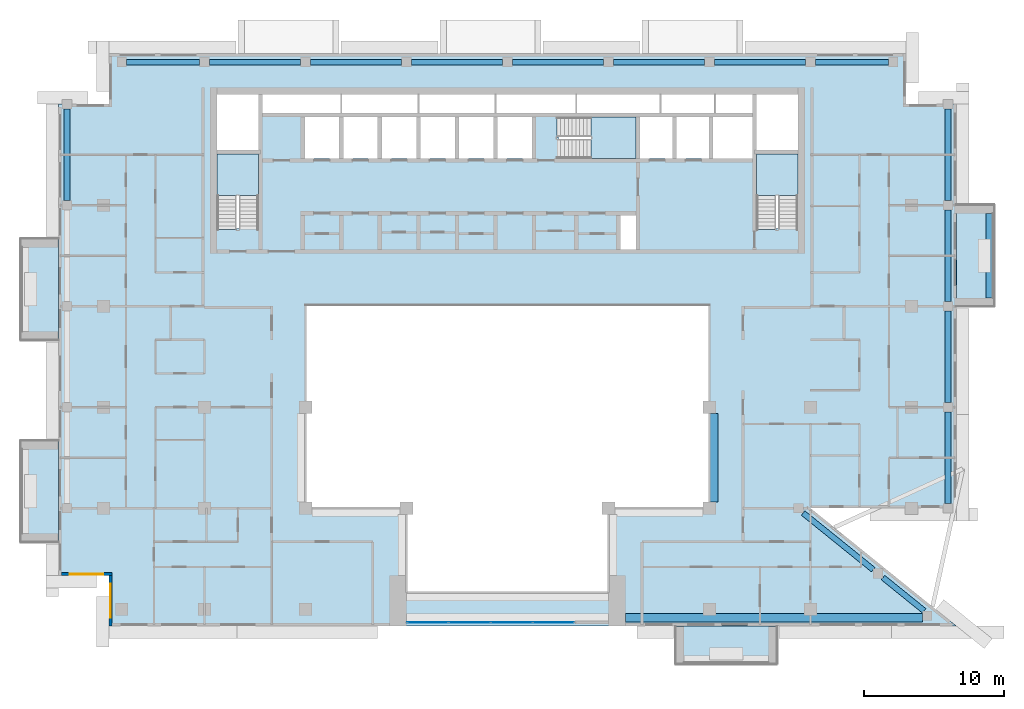
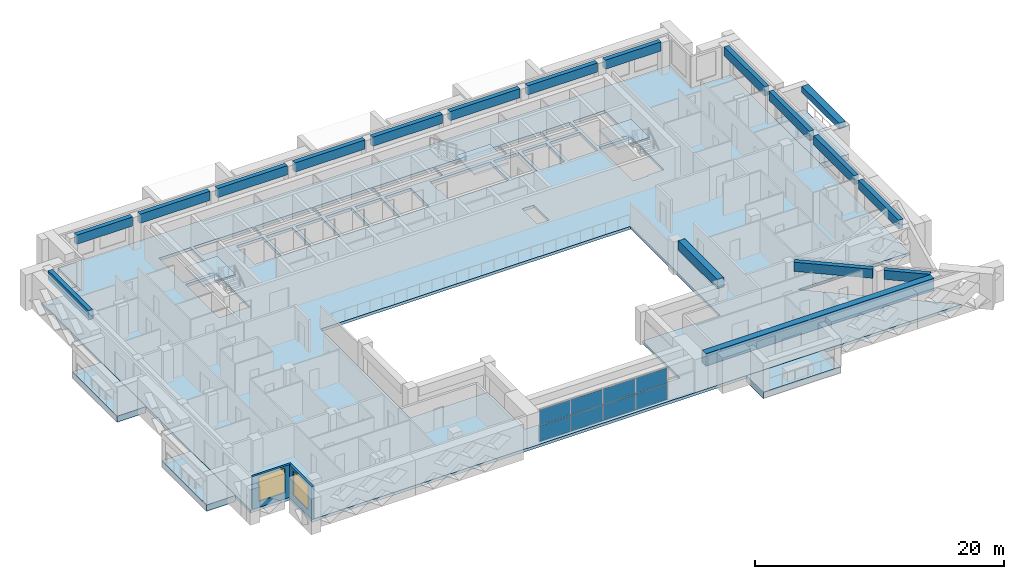
# One storey, part 5 of 19: 18 beams, 8 plates, 8 slabs, 2 walls, 2 windows, 2 openings, 4 elements without a shape of their own.
"""IFC4 building model written with IfcOpenShell, lengths in metres."""

from ifc_helpers import new_model, si_unit, direction, frame, frame_2d, origin, origin_2d, place, context, subcontext, project, spatial, polyline, rectangle, outline, extrude, source, transform, mapped, material, layer, layer_set, material_profile, profile_set, type_object, element, fill, aggregate, save


model = new_model("IFC4")

# Units and contexts
model_context = context("Model", 3, precision=1e-05, world=origin(), true_north=direction((0.0, 1.0)))
body_context = subcontext(model_context, "Body", "Model", "MODEL_VIEW")
ifc_project = project(units=[si_unit("LENGTHUNIT", "METRE"), si_unit("AREAUNIT", "SQUARE_METRE"), si_unit("VOLUMEUNIT", "CUBIC_METRE"), si_unit("PLANEANGLEUNIT", "RADIAN"), si_unit("MASSUNIT", "GRAM", prefix="KILO")], contexts=[model_context])

# Site, building, storey
site_placement = place(None, origin())
site = spatial("IfcSite", under=ifc_project, at=site_placement, CompositionType="ELEMENT")
building_placement = place(site_placement, origin())
building = spatial("IfcBuilding", under=site, at=building_placement, Name="Saffron Iwan Residences", CompositionType="ELEMENT")
storey_placement = place(building_placement, frame((0.0, 0.0, 229.0)))
storey = spatial("IfcBuildingStorey", under=building, at=storey_placement, Name="L61", CompositionType="ELEMENT", Elevation=229.0)

# Beams
ifc_material_1 = material(Name="Concrete C40/50", Category="concrete")
ifc_material_profile_1 = material_profile(ifc_material_1, rectangle(XDim=0.39990234375, YDim=0.89990234375, at=origin_2d()), Name="RC 400x900")
ifc_profile_set_1 = profile_set([ifc_material_profile_1], Name="Concrete C40/50")
beam_type_1 = type_object("IfcBeamType", Name="SPANDREL BEAM RC 400x900 C40/50 TOP 3220", PredefinedType="SPANDREL", material=ifc_profile_set_1)
shared_shape_1 = source(origin(), body_context, "Body", "SweptSolid", [
    extrude(rectangle(XDim=0.39990234375, YDim=0.89990234375, at=origin_2d()), origin(), (0.0, 0.0, 1.0), 3.767578125),
])
beam_1_placement = place(storey_placement, frame((77.173095703125, 43.050537109375, 2.77001953125), z_axis=(0.777920469401, -0.62836274817, 0.0), x_axis=(0.62836274817, 0.777920469401, 0.0)))
element("IfcBeam", 1, at=beam_1_placement, inside=storey, type_object=beam_type_1, Name="Spandrel beam", PredefinedType="SPANDREL", context=body_context, shape_type="MappedRepresentation", body=[
    mapped(shared_shape_1, transform((0.0, 0.0, 0.0))),
])
shared_shape_2 = source(origin(), body_context, "Body", "SweptSolid", [
    extrude(rectangle(XDim=0.39990234375, YDim=0.89990234375, at=origin_2d()), origin(), (0.0, 0.0, 1.0), 6.419921875),
])
beam_2_placement = place(storey_placement, frame((71.478515625, 47.64990234375, 2.77001953125), z_axis=(0.777940465262, -0.628337992253, 0.0), x_axis=(0.628337992253, 0.777940465262, 0.0)))
element("IfcBeam", 2, at=beam_2_placement, inside=storey, type_object=beam_type_1, Name="Spandrel beam", PredefinedType="SPANDREL", context=body_context, shape_type="MappedRepresentation", body=[
    mapped(shared_shape_2, transform((0.0, 0.0, 0.0))),
])
shared_shape_3 = source(origin(), body_context, "Body", "SweptSolid", [
    extrude(rectangle(XDim=0.39990234375, YDim=0.89990234375, at=origin_2d()), origin(), (0.0, 0.0, 1.0), 6.5),
])
for number, where, z_axis, x_axis, name in (
    (3, (81.800048828125, 54.85009765625, 2.77001953125), (0.0, -1.0, 0.0), (1.0, 0.0, 0.0), "Spandrel beam"),
    (4, (81.800048828125, 62.050048828125, 2.77001953125), (0.0, -1.0, 0.0), (1.0, 0.0, 0.0), "Spandrel beam"),
    (5, (81.800048828125, 69.25, 2.77001953125), (0.0, -1.0, 0.0), (1.0, 0.0, 0.0), "Spandrel beam"),
    (6, (19.0, 69.949951171875, 2.77001953125), (0.0, 1.0, 0.0), (-1.0, 0.0, 0.0), "Spandrel beam"),
    (7, (81.800048828125, 76.449951171875, 2.77001953125), (0.0, -1.0, 0.0), (1.0, 0.0, 0.0), "Spandrel beam"),
    (8, (29.14990234375, 79.800048828125, 2.77001953125), (1.0, 0.0, 0.0), (0.0, 1.0, 0.0), "Spandrel beam"),
    (9, (36.35009765625, 79.800048828125, 2.77001953125), (1.0, 0.0, 0.0), (0.0, 1.0, 0.0), "Spandrel beam"),
    (10, (43.550048828125, 79.800048828125, 2.77001953125), (1.0, 0.0, 0.0), (0.0, 1.0, 0.0), "Spandrel beam"),
    (11, (50.75, 79.800048828125, 2.77001953125), (1.0, 0.0, 0.0), (0.0, 1.0, 0.0), "Spandrel beam"),
    (12, (57.949951171875, 79.800048828125, 2.77001953125), (1.0, 0.0, 0.0), (0.0, 1.0, 0.0), "Spandrel beam"),
    (13, (65.14990234375, 79.800048828125, 2.77001953125), (1.0, 0.0, 0.0), (0.0, 1.0, 0.0), "Spandrel beam"),
):
    element("IfcBeam", number, at=place(storey_placement, frame(where, z_axis=z_axis, x_axis=x_axis)), inside=storey, type_object=beam_type_1, Name=name, PredefinedType="SPANDREL", context=body_context, shape_type="MappedRepresentation", body=[
        mapped(shared_shape_3, transform((0.0, 0.0, 0.0))),
    ])
shared_shape_4 = source(origin(), body_context, "Body", "SweptSolid", [
    extrude(rectangle(XDim=0.39990234375, YDim=0.89990234375, at=origin_2d()), origin(), (0.0, 0.0, 1.0), 5.199951171875),
])
for number, where, z_axis, x_axis, name in (
    (14, (23.25, 79.800048828125, 2.77001953125), (1.0, 0.0, 0.0), (0.0, 1.0, 0.0), "Spandrel beam"),
    (15, (72.35009765625, 79.800048828125, 2.77001953125), (1.0, 0.0, 0.0), (0.0, 1.0, 0.0), "Spandrel beam"),
):
    element("IfcBeam", number, at=place(storey_placement, frame(where, z_axis=z_axis, x_axis=x_axis)), inside=storey, type_object=beam_type_1, Name=name, PredefinedType="SPANDREL", context=body_context, shape_type="MappedRepresentation", body=[
        mapped(shared_shape_4, transform((0.0, 0.0, 0.0))),
    ])
ifc_material_profile_2 = material_profile(ifc_material_1, rectangle(XDim=0.60009765625, YDim=1.199951171875, at=origin_2d()), Name="RC 600x1200")
ifc_profile_set_2 = profile_set([ifc_material_profile_2], Name="Concrete C40/50")
beam_type_2 = type_object("IfcBeamType", Name="LINTEL BEAM RC 600x1200 C40/50 TOP 3220", PredefinedType="LINTEL", material=ifc_profile_set_2)
shared_shape_5 = source(origin(), body_context, "Body", "SweptSolid", [
    extrude(rectangle(XDim=0.60009765625, YDim=1.199951171875, at=origin_2d()), origin(), (0.0, 0.0, 1.0), 21.175537109375),
])
beam_3_placement = place(storey_placement, frame((79.9755859375, 40.199951171875, 2.6201171875), z_axis=(-1.0, 0.0, 0.0), x_axis=(0.0, -1.0, 0.0)))
element("IfcBeam", 16, at=beam_3_placement, inside=storey, type_object=beam_type_2, Name="Lintel beam over the iwan", PredefinedType="LINTEL", context=body_context, shape_type="MappedRepresentation", body=[
    mapped(shared_shape_5, transform((0.0, 0.0, 0.0))),
])
ifc_material_profile_3 = material_profile(ifc_material_1, rectangle(XDim=0.60009765625, YDim=0.89990234375, at=origin_2d()), Name="RC 600x900")
ifc_profile_set_3 = profile_set([ifc_material_profile_3], Name="Concrete C40/50")
beam_type_3 = type_object("IfcBeamType", Name="BEAM RC 600x900 C40/50 TOP 3220", PredefinedType="BEAM", material=ifc_profile_set_3)
shared_shape_6 = source(origin(), body_context, "Body", "SweptSolid", [
    extrude(rectangle(XDim=0.60009765625, YDim=0.89990234375, at=origin_2d()), origin(), (0.0, 0.0, 1.0), 6.300048828125),
])
beam_4_placement = place(storey_placement, frame((65.10009765625, 54.75, 2.77001953125), z_axis=(0.0, -1.0, 0.0), x_axis=(1.0, 0.0, 0.0)))
element("IfcBeam", 17, at=beam_4_placement, inside=storey, type_object=beam_type_3, Name="Atrium edge beam", PredefinedType="BEAM", context=body_context, shape_type="MappedRepresentation", body=[
    mapped(shared_shape_6, transform((0.0, 0.0, 0.0))),
])
ifc_material_2 = material(Name="Concrete C50/60 white painted", Category="concrete")
ifc_material_profile_4 = material_profile(ifc_material_2, rectangle(XDim=0.60009765625, YDim=0.60009765625, at=origin_2d()), Name="BALCONY FASCIA BEAM 600 x 600")
ifc_profile_set_4 = profile_set([ifc_material_profile_4], Name="Concrete C50/60 white painted")
beam_type_4 = type_object("IfcBeamType", Name="BALCONY FASCIA BEAM 600 x 600", PredefinedType="BEAM", material=ifc_profile_set_4)
shared_shape_7 = source(origin(), body_context, "Body", "SweptSolid", [
    extrude(rectangle(XDim=0.60009765625, YDim=0.60009765625, at=origin_2d()), origin(), (0.0, 0.0, 1.0), 6.0),
])
beam_5_placement = place(storey_placement, frame((84.800048828125, 63.0, 2.550048828125), z_axis=(0.0, 1.0, 0.0), x_axis=(-1.0, 0.0, 0.0)))
element("IfcBeam", 18, at=beam_5_placement, inside=storey, type_object=beam_type_4, Name="Balcony fascia beam L61 F2-0", PredefinedType="BEAM", context=body_context, shape_type="MappedRepresentation", body=[
    mapped(shared_shape_7, transform((0.0, 0.0, 0.0))),
])

# Slabs
ifc_layer_1 = layer(ifc_material_2, 0.60009765625)
ifc_layer_set_1 = layer_set([ifc_layer_1], Name="Concrete C50/60 white painted")
slab_type_1 = type_object("IfcSlabType", Name="BALCONY FRAME SLAB 600", PredefinedType="FLOOR", material=ifc_layer_set_1)
slab_1_placement = place(storey_placement, frame((0.0, 0.0, -0.60009765625)))
element("IfcSlab", 19, at=slab_1_placement, inside=storey, type_object=slab_type_1, Name="Balcony frame slab L61 F2-0", PredefinedType="FLOOR", context=body_context, shape_type="SweptSolid", body=[
    extrude(outline(polyline([(85.10009765625, 62.39990234375), (85.10009765625, 69.60009765625), (82.39990234375, 69.60009765625), (82.39990234375, 62.39990234375), (85.10009765625, 62.39990234375)])), origin(), (0.0, 0.0, 1.0), 0.60009765625),
])
slab_2_placement = place(storey_placement, frame((0.0, 0.0, -0.60009765625)))
element("IfcSlab", 20, at=slab_2_placement, inside=storey, type_object=slab_type_1, Name="Balcony frame slab L61 F8-0", PredefinedType="FLOOR", context=body_context, shape_type="SweptSolid", body=[
    extrude(outline(polyline([(15.699951171875, 67.199951171875), (15.699951171875, 60.0), (18.39990234375, 60.0), (18.39990234375, 67.199951171875), (15.699951171875, 67.199951171875)])), origin(), (0.0, 0.0, 1.0), 0.60009765625),
])
slab_3_placement = place(storey_placement, frame((0.0, 0.0, -0.60009765625)))
element("IfcSlab", 21, at=slab_3_placement, inside=storey, type_object=slab_type_1, Name="Balcony frame slab L61 F8-1", PredefinedType="FLOOR", context=body_context, shape_type="SweptSolid", body=[
    extrude(outline(polyline([(15.699951171875, 52.800048828125), (15.699951171875, 45.60009765625), (18.39990234375, 45.60009765625), (18.39990234375, 52.800048828125), (15.699951171875, 52.800048828125)])), origin(), (0.0, 0.0, 1.0), 0.60009765625),
])
slab_4_placement = place(storey_placement, frame((0.0, 0.0, -0.60009765625)))
element("IfcSlab", 22, at=slab_4_placement, inside=storey, type_object=slab_type_1, Name="Balcony frame slab L61 11-1", PredefinedType="FLOOR", context=body_context, shape_type="SweptSolid", body=[
    extrude(outline(polyline([(62.39990234375, 36.89990234375), (69.60009765625, 36.89990234375), (69.60009765625, 39.60009765625), (62.39990234375, 39.60009765625), (62.39990234375, 36.89990234375)])), origin(), (0.0, 0.0, 1.0), 0.60009765625),
])
ifc_layer_2 = layer(ifc_material_1, 0.280029296875)
ifc_layer_set_2 = layer_set([ifc_layer_2], Name="Concrete C40/50")
slab_type_2 = type_object("IfcSlabType", Name="PT PLATE 280 C40/50", PredefinedType="FLOOR", material=ifc_layer_set_2)
slab_5_placement = place(storey_placement, frame((0.0, 0.0, -0.280029296875)))
element("IfcSlab", 23, at=slab_5_placement, inside=storey, type_object=slab_type_2, Name="Floor slab L61", PredefinedType="FLOOR", context=body_context, shape_type="SweptSolid", body=[
    extrude(outline(polyline([(18.39990234375, 43.199951171875), (18.39990234375, 76.800048828125), (22.0, 76.800048828125), (22.0, 80.39990234375), (78.800048828125, 80.39990234375), (78.800048828125, 76.800048828125), (82.39990234375, 76.800048828125), (82.39990234375, 48.0), (72.0, 48.0), (82.39990234375, 39.60009765625), (22.0, 39.60009765625), (22.0, 43.199951171875), (18.39990234375, 43.199951171875)]), holes=[polyline([(64.800048828125, 48.0), (64.800048828125, 62.39990234375), (36.0, 62.39990234375), (36.0, 48.0), (43.199951171875, 48.0), (43.199951171875, 42.0), (57.60009765625, 42.0), (57.60009765625, 48.0), (64.800048828125, 48.0)]), polyline([(29.699951171875, 73.25), (29.699951171875, 67.949951171875), (29.699951171875, 67.8505859375), (31.10009765625, 67.8505859375), (31.10009765625, 67.949951171875), (32.64990234375, 67.949951171875), (32.64990234375, 73.25), (29.699951171875, 73.25)]), polyline([(38.39990234375, 75.875), (35.949951171875, 75.875), (35.949951171875, 72.925048828125), (38.39990234375, 72.925048828125), (38.39990234375, 75.875)]), polyline([(41.14990234375, 75.875), (38.699951171875, 75.875), (38.699951171875, 72.925048828125), (41.14990234375, 72.925048828125), (41.14990234375, 75.875)]), polyline([(43.89990234375, 72.925048828125), (43.89990234375, 75.875), (41.449951171875, 75.875), (41.449951171875, 72.925048828125), (43.89990234375, 72.925048828125)]), polyline([(46.64990234375, 72.925048828125), (46.64990234375, 75.875), (44.199951171875, 75.875), (44.199951171875, 72.925048828125), (46.64990234375, 72.925048828125)]), polyline([(49.39990234375, 75.875), (46.949951171875, 75.875), (46.949951171875, 72.925048828125), (49.39990234375, 72.925048828125), (49.39990234375, 75.875)]), polyline([(52.14990234375, 72.925048828125), (52.14990234375, 75.875), (49.699951171875, 75.875), (49.699951171875, 72.925048828125), (52.14990234375, 72.925048828125)]), polyline([(32.64990234375, 73.550048828125), (32.64990234375, 77.5), (29.699951171875, 77.5), (29.699951171875, 73.550048828125), (32.64990234375, 73.550048828125)]), polyline([(38.5, 77.5), (32.949951171875, 77.5), (32.949951171875, 76.175048828125), (38.5, 76.175048828125), (38.5, 77.5)]), polyline([(44.0, 76.175048828125), (44.0, 77.5), (38.60009765625, 77.5), (38.60009765625, 76.175048828125), (44.0, 76.175048828125)]), polyline([(49.5, 76.175048828125), (49.5, 77.5), (44.10009765625, 77.5), (44.10009765625, 76.175048828125), (49.5, 76.175048828125)]), polyline([(59.550048828125, 68.875), (58.449951171875, 68.875), (58.449951171875, 66.449951171875), (59.550048828125, 66.449951171875), (59.550048828125, 68.875)]), polyline([(68.14990234375, 73.25), (68.14990234375, 67.949951171875), (68.14990234375, 67.8505859375), (69.550048828125, 67.8505859375), (69.550048828125, 67.949951171875), (71.10009765625, 67.949951171875), (71.10009765625, 73.25), (68.14990234375, 73.25)]), polyline([(54.02490234375, 74.47509765625), (54.02490234375, 72.925048828125), (59.550048828125, 72.925048828125), (59.550048828125, 75.875), (54.02490234375, 75.875), (53.925537109375, 75.875), (53.925537109375, 74.47509765625), (54.02490234375, 74.47509765625)]), polyline([(62.14990234375, 72.925048828125), (62.14990234375, 75.875), (59.85009765625, 75.875), (59.85009765625, 72.925048828125), (62.14990234375, 72.925048828125)]), polyline([(64.75, 72.925048828125), (64.75, 75.875), (62.449951171875, 75.875), (62.449951171875, 72.925048828125), (64.75, 72.925048828125)]), polyline([(67.85009765625, 75.875), (65.050048828125, 75.875), (65.050048828125, 72.925048828125), (67.85009765625, 72.925048828125), (67.85009765625, 75.875)]), polyline([(71.10009765625, 73.550048828125), (71.10009765625, 77.5), (68.14990234375, 77.5), (68.14990234375, 73.550048828125), (71.10009765625, 73.550048828125)]), polyline([(55.25, 76.175048828125), (55.25, 77.5), (49.60009765625, 77.5), (49.60009765625, 76.175048828125), (55.25, 76.175048828125)]), polyline([(61.25, 77.5), (55.35009765625, 77.5), (55.35009765625, 76.175048828125), (61.25, 76.175048828125), (61.25, 77.5)]), polyline([(65.14990234375, 76.175048828125), (65.14990234375, 77.5), (61.35009765625, 77.5), (61.35009765625, 76.175048828125), (65.14990234375, 76.175048828125)]), polyline([(67.85009765625, 76.175048828125), (67.85009765625, 77.5), (65.25, 77.5), (65.25, 76.175048828125), (67.85009765625, 76.175048828125)])]), origin(), (0.0, 0.0, 1.0), 0.280029296875),
])

# Stair, slab
ifc_material_3 = material(Name="Concrete C50/60", Category="concrete")
stair_type = type_object("IfcStairType", Name="Stair ST-CORE", PredefinedType="HALF_TURN_STAIR", material=ifc_material_3)
stair_1_placement = place(storey_placement, origin())
stair_1 = element("IfcStair", 24, at=stair_1_placement, inside=storey, type_object=stair_type, Name="L61 Exit Stair ST-W", PredefinedType="HALF_TURN_STAIR")
ifc_layer_3 = layer(ifc_material_3, 0.199951171875)
ifc_layer_set_3 = layer_set([ifc_layer_3], Name="Concrete C50/60")
slab_type_3 = type_object("IfcSlabType", Name="Stair landing SL-RC", PredefinedType="LANDING", material=ifc_layer_set_3)
slab_6_placement = place(storey_placement, frame((0.0, 0.0, 1.5498046875)))
slab_6 = element("IfcSlab", 25, at=slab_6_placement, type_object=slab_type_3, Name="ST-W landing 1", PredefinedType="LANDING", context=body_context, shape_type="SweptSolid", body=[
    extrude(outline(polyline([(32.64990234375, 70.280029296875), (32.64990234375, 73.25), (29.699951171875, 73.25), (29.699951171875, 70.280029296875), (32.64990234375, 70.280029296875)])), origin(), (0.0, 0.0, 1.0), 0.2001953125),
])
aggregate(stair_1, [slab_6])

stair_2_placement = place(storey_placement, origin())
stair_2 = element("IfcStair", 26, at=stair_2_placement, inside=storey, type_object=stair_type, Name="L61 Exit Stair ST-C", PredefinedType="HALF_TURN_STAIR")
slab_7_placement = place(storey_placement, frame((0.0, 0.0, 1.5498046875)))
slab_7 = element("IfcSlab", 27, at=slab_7_placement, type_object=slab_type_3, Name="ST-C landing 1", PredefinedType="LANDING", context=body_context, shape_type="SweptSolid", body=[
    extrude(outline(polyline([(56.35498046875, 72.925048828125), (59.550048828125, 72.925048828125), (59.550048828125, 75.875), (56.35498046875, 75.875), (56.35498046875, 72.925048828125)])), origin(), (0.0, 0.0, 1.0), 0.2001953125),
])
aggregate(stair_2, [slab_7])

stair_3_placement = place(storey_placement, origin())
stair_3 = element("IfcStair", 28, at=stair_3_placement, inside=storey, type_object=stair_type, Name="L61 Exit Stair ST-E", PredefinedType="HALF_TURN_STAIR")
slab_8_placement = place(storey_placement, frame((0.0, 0.0, 1.5498046875)))
slab_8 = element("IfcSlab", 29, at=slab_8_placement, type_object=slab_type_3, Name="ST-E landing 1", PredefinedType="LANDING", context=body_context, shape_type="SweptSolid", body=[
    extrude(outline(polyline([(71.10009765625, 70.280029296875), (71.10009765625, 73.25), (68.14990234375, 73.25), (68.14990234375, 70.280029296875), (71.10009765625, 70.280029296875)])), origin(), (0.0, 0.0, 1.0), 0.2001953125),
])
aggregate(stair_3, [slab_8])

# Curtain wall, plates
ifc_material_4 = material(Name="Clear glass, laminated double glazed", Category="glass")
ifc_layer_4 = layer(ifc_material_4, 0.199951171875)
ifc_layer_set_4 = layer_set([ifc_layer_4], Name="Clear glass, laminated double glazed")
curtain_wall_type = type_object("IfcCurtainWallType", Name="CW-B IWAN PORTAL", PredefinedType="NOTDEFINED", material=ifc_layer_set_4)
curtain_wall_placement = place(storey_placement, origin())
curtain_wall = element("IfcCurtainWall", 30, at=curtain_wall_placement, inside=storey, type_object=curtain_wall_type, Name="Iwan portal glazing L61.1", PredefinedType="NOTDEFINED")
ifc_layer_5 = layer(ifc_material_4, 0.028076171875)
ifc_layer_set_5 = layer_set([ifc_layer_5], Name="Clear glass, laminated double glazed")
plate_type = type_object("IfcPlateType", Name="CW-B PANEL 28", PredefinedType="CURTAIN_PANEL", material=ifc_layer_set_5)
shared_shape_8 = source(origin(), body_context, "Body", "SweptSolid", [
    extrude(rectangle(XDim=2.909912109375, YDim=0.028076171875, at=origin_2d()), origin(), (0.0, 0.0, 1.0), 1.52001953125),
])
plate_1_placement = place(storey_placement, frame((44.715087890625, 39.85009765625, 0.06005859375), z_axis=(0.0, 0.0, 1.0), x_axis=(1.0, 0.0, 0.0)))
plate_1 = element("IfcPlate", 31, at=plate_1_placement, type_object=plate_type, Name="CW-B panel 1.1", PredefinedType="CURTAIN_PANEL", context=body_context, shape_type="MappedRepresentation", body=[
    mapped(shared_shape_8, transform((0.0, 0.0, 0.0))),
])
plate_2_placement = place(storey_placement, frame((44.715087890625, 39.85009765625, 1.639892578125), z_axis=(0.0, 0.0, 1.0), x_axis=(1.0, 0.0, 0.0)))
plate_2 = element("IfcPlate", 32, at=plate_2_placement, type_object=plate_type, Name="CW-B panel 1.2", PredefinedType="CURTAIN_PANEL", context=body_context, shape_type="MappedRepresentation", body=[
    mapped(shared_shape_8, transform((0.0, 0.0, 0.0))),
])
plate_3_placement = place(storey_placement, frame((53.68505859375, 39.85009765625, 0.06005859375), z_axis=(0.0, 0.0, 1.0), x_axis=(1.0, 0.0, 0.0)))
plate_3 = element("IfcPlate", 33, at=plate_3_placement, type_object=plate_type, Name="CW-B panel 4.1", PredefinedType="CURTAIN_PANEL", context=body_context, shape_type="MappedRepresentation", body=[
    mapped(shared_shape_8, transform((0.0, 0.0, 0.0))),
])
plate_4_placement = place(storey_placement, frame((53.68505859375, 39.85009765625, 1.639892578125), z_axis=(0.0, 0.0, 1.0), x_axis=(1.0, 0.0, 0.0)))
plate_4 = element("IfcPlate", 34, at=plate_4_placement, type_object=plate_type, Name="CW-B panel 4.2", PredefinedType="CURTAIN_PANEL", context=body_context, shape_type="MappedRepresentation", body=[
    mapped(shared_shape_8, transform((0.0, 0.0, 0.0))),
])
shared_shape_9 = source(origin(), body_context, "Body", "SweptSolid", [
    extrude(rectangle(XDim=2.93994140625, YDim=0.028076171875, at=origin_2d()), origin(), (0.0, 0.0, 1.0), 1.52001953125),
])
plate_5_placement = place(storey_placement, frame((47.699951171875, 39.85009765625, 0.06005859375), z_axis=(0.0, 0.0, 1.0), x_axis=(1.0, 0.0, 0.0)))
plate_5 = element("IfcPlate", 35, at=plate_5_placement, type_object=plate_type, Name="CW-B panel 2.1", PredefinedType="CURTAIN_PANEL", context=body_context, shape_type="MappedRepresentation", body=[
    mapped(shared_shape_9, transform((0.0, 0.0, 0.0))),
])
plate_6_placement = place(storey_placement, frame((47.699951171875, 39.85009765625, 1.639892578125), z_axis=(0.0, 0.0, 1.0), x_axis=(1.0, 0.0, 0.0)))
plate_6 = element("IfcPlate", 36, at=plate_6_placement, type_object=plate_type, Name="CW-B panel 2.2", PredefinedType="CURTAIN_PANEL", context=body_context, shape_type="MappedRepresentation", body=[
    mapped(shared_shape_9, transform((0.0, 0.0, 0.0))),
])
plate_7_placement = place(storey_placement, frame((50.699951171875, 39.85009765625, 0.06005859375), z_axis=(0.0, 0.0, 1.0), x_axis=(1.0, 0.0, 0.0)))
plate_7 = element("IfcPlate", 37, at=plate_7_placement, type_object=plate_type, Name="CW-B panel 3.1", PredefinedType="CURTAIN_PANEL", context=body_context, shape_type="MappedRepresentation", body=[
    mapped(shared_shape_9, transform((0.0, 0.0, 0.0))),
])
plate_8_placement = place(storey_placement, frame((50.699951171875, 39.85009765625, 1.639892578125), z_axis=(0.0, 0.0, 1.0), x_axis=(1.0, 0.0, 0.0)))
plate_8 = element("IfcPlate", 38, at=plate_8_placement, type_object=plate_type, Name="CW-B panel 3.2", PredefinedType="CURTAIN_PANEL", context=body_context, shape_type="MappedRepresentation", body=[
    mapped(shared_shape_9, transform((0.0, 0.0, 0.0))),
])
aggregate(curtain_wall, [plate_1, plate_2, plate_5, plate_6, plate_7, plate_8, plate_3, plate_4])

# Wall, opening, window
ifc_layer_6 = layer(ifc_material_1, 0.199951171875)
ifc_layer_set_6 = layer_set([ifc_layer_6], Name="Concrete C40/50")
wall_type = type_object("IfcWallType", Name="EXTERNAL WALL 200", PredefinedType="SOLIDWALL", material=ifc_layer_set_6)
wall_1_placement = place(storey_placement, frame((18.60009765625, 43.300048828125, 0.0), z_axis=(0.0, 0.0, 1.0), x_axis=(1.0, 0.0, 0.0)))
wall_1 = element("IfcWall", 39, at=wall_1_placement, inside=storey, type_object=wall_type, Name="External wall L61 F9.0", PredefinedType="SOLIDWALL", context=body_context, shape_type="SweptSolid", body=[
    extrude(rectangle(XDim=3.599853515625, YDim=0.199951171875, at=frame_2d((1.7998046875, 0.0))), origin(), (0.0, 0.0, 1.0), 3.219970703125),
])
opening_1_placement = place(wall_1_placement, frame((0.60009765625, 0.0, 0.60009765625)))
opening_1 = element("IfcOpeningElement", 40, at=opening_1_placement, cuts=wall_1, Name="Opening W1", PredefinedType="OPENING", context=body_context, shape_type="SweptSolid", body=[
    extrude(rectangle(XDim=2.39990234375, YDim=2.39990234375, at=frame_2d((1.199951171875, 1.199951171875))), frame((0.0, 0.10986328125, 0.0), z_axis=(0.0, -1.0, 0.0), x_axis=(1.0, 0.0, 0.0)), (0.0, 0.0, 1.0), 0.219970703125),
])
window_type = type_object("IfcWindowType", Name="WINDOW 2400 x 2400", PartitioningType="DOUBLE_PANEL_VERTICAL", PredefinedType="WINDOW", material=ifc_material_4)
window_1_placement = place(opening_1_placement, origin())
window_1 = element("IfcWindow", 41, at=window_1_placement, inside=storey, type_object=window_type, Name="Window L61 F9.0", OverallHeight=2.39990234375, OverallWidth=2.39990234375, PartitioningType="DOUBLE_PANEL_VERTICAL", PredefinedType="WINDOW", context=body_context, shape_type="SweptSolid", body=[
    extrude(rectangle(XDim=2.39990234375, YDim=2.39990234375, at=frame_2d((1.199951171875, 1.199951171875))), frame((0.0, 0.030029296875, 0.0), z_axis=(0.0, -1.0, 0.0), x_axis=(1.0, 0.0, 0.0)), (0.0, 0.0, 1.0), 0.06005859375),
])
fill(opening_1, window_1)

wall_2_placement = place(storey_placement, frame((22.10009765625, 43.199951171875, 0.0), z_axis=(0.0, 0.0, 1.0), x_axis=(0.0, -1.0, 0.0)))
wall_2 = element("IfcWall", 42, at=wall_2_placement, inside=storey, type_object=wall_type, Name="External wall L61 F10.0", PredefinedType="SOLIDWALL", context=body_context, shape_type="SweptSolid", body=[
    extrude(rectangle(XDim=3.599853515625, YDim=0.199951171875, at=frame_2d((1.7998046875, 0.0))), origin(), (0.0, 0.0, 1.0), 3.219970703125),
])
opening_2_placement = place(wall_2_placement, frame((0.60009765625, 0.0, 0.60009765625)))
opening_2 = element("IfcOpeningElement", 43, at=opening_2_placement, cuts=wall_2, Name="Opening W1", PredefinedType="OPENING", context=body_context, shape_type="SweptSolid", body=[
    extrude(rectangle(XDim=2.39990234375, YDim=2.39990234375, at=frame_2d((1.199951171875, 1.199951171875))), frame((0.0, 0.10986328125, 0.0), z_axis=(0.0, -1.0, 0.0), x_axis=(1.0, 0.0, 0.0)), (0.0, 0.0, 1.0), 0.219970703125),
])
window_2_placement = place(opening_2_placement, origin())
window_2 = element("IfcWindow", 44, at=window_2_placement, inside=storey, type_object=window_type, Name="Window L61 F10.0", OverallHeight=2.39990234375, OverallWidth=2.39990234375, PartitioningType="DOUBLE_PANEL_VERTICAL", PredefinedType="WINDOW", context=body_context, shape_type="SweptSolid", body=[
    extrude(rectangle(XDim=2.39990234375, YDim=2.39990234375, at=frame_2d((1.199951171875, 1.199951171875))), frame((0.0, 0.030029296875, 0.0), z_axis=(0.0, -1.0, 0.0), x_axis=(1.0, 0.0, 0.0)), (0.0, 0.0, 1.0), 0.06005859375),
])
fill(opening_2, window_2)

save(model, "model.ifc")
